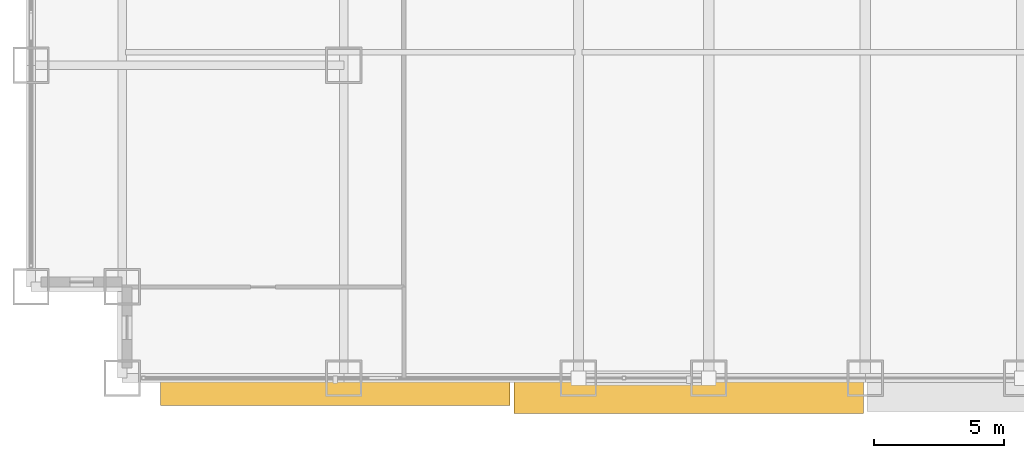
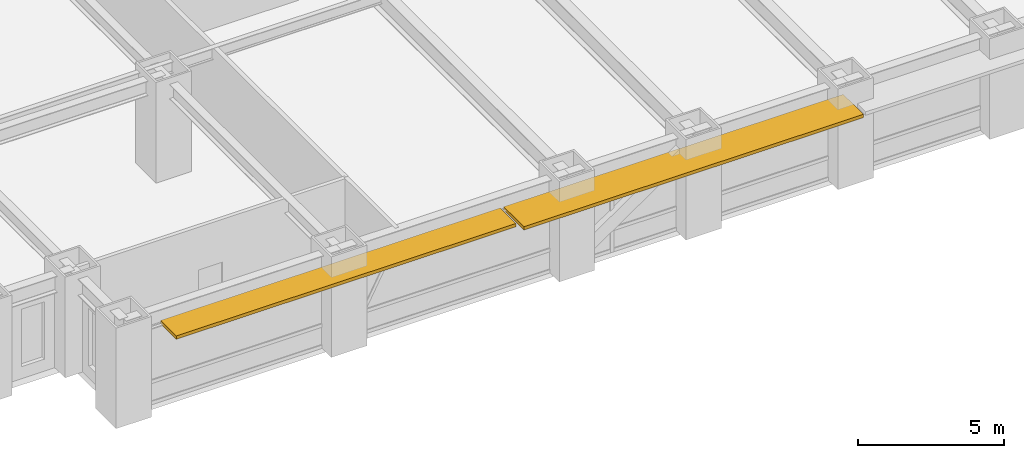
# One storey, part 27 of 31: 2 shading devices.
"""IFC4 building model written with IfcOpenShell, lengths in metres."""

import ifcopenshell
import ifcopenshell.guid

model = None  # the IFC model being written
_history = None  # IfcOwnerHistory: only IFC2X3 demands one
_inside = {}  # id of a spatial element -> (the spatial element, [elements in it])
_under = {}  # id of a project, library or spatial element -> (it, [spatial elements below it])
_declared = {}  # id of a project -> (the project, [libraries it declares])
_typed = {}  # id of a type object -> (the type object, [elements of that type])
_made_of = {}  # id of a material, layer set ... -> (it, [elements and type objects made of it])


def new_model(schema):
    """Start an empty IFC model of exactly this schema.

    Asked for "IFC4X3", IfcOpenShell would pick the latest addendum, in which some entities
    have other attributes; the version numbers below select the first issue.
    IFC2X3 requires an IfcOwnerHistory on every rooted entity: one is made here for all.
    """
    global model, _history
    if schema == "IFC4X3":
        model = ifcopenshell.file(schema_version=(4, 3, 0, 0))
    else:
        model = ifcopenshell.file(schema=schema)
    _inside.clear()
    _under.clear()
    _declared.clear()
    _typed.clear()
    _made_of.clear()
    _history = None
    if model.schema == "IFC2X3":
        org = make("IfcOrganization", Name="unknown")
        user = make(
            "IfcPersonAndOrganization",
            ThePerson=make("IfcPerson", FamilyName="unknown"),
            TheOrganization=org,
        )
        app = make(
            "IfcApplication",
            ApplicationDeveloper=org,
            Version="unknown",
            ApplicationFullName="unknown",
            ApplicationIdentifier="unknown",
        )
        _history = make(
            "IfcOwnerHistory",
            OwningUser=user,
            OwningApplication=app,
            ChangeAction="ADDED",
            CreationDate=0,
        )
    return model


def make(cls, **values):
    """One entity of the class cls with the attributes given. An attribute that is None is left unset."""
    return model.create_entity(
        cls, **{name: value for name, value in values.items() if value is not None}
    )


def rooted(cls, **values):
    """An entity with a GlobalId (a new one), such as an element, a storey or a relation."""
    return make(cls, GlobalId=ifcopenshell.guid.new(), OwnerHistory=_history, **values)


def si_unit(unit_type, name, prefix=None):
    """IfcSIUnit, for example si_unit("LENGTHUNIT", "METRE", prefix="MILLI")."""
    return make("IfcSIUnit", UnitType=unit_type, Prefix=prefix, Name=name)


def assignment(units):
    """IfcUnitAssignment: the units of a project."""
    return None if units is None else make("IfcUnitAssignment", Units=units)


def point(xyz):
    """IfcCartesianPoint."""
    return None if xyz is None else make("IfcCartesianPoint", Coordinates=xyz)


def direction(xyz):
    """IfcDirection."""
    return None if xyz is None else make("IfcDirection", DirectionRatios=xyz)


def frame(location, z_axis=None, x_axis=None):
    """IfcAxis2Placement3D, a coordinate frame: its origin and axes. An axis left out is left unset."""
    return make(
        "IfcAxis2Placement3D",
        Location=point(location),
        Axis=direction(z_axis),
        RefDirection=direction(x_axis),
    )


def frame_2d(location, x_axis=None):
    """IfcAxis2Placement2D, a coordinate frame in the plane: its origin and x axis."""
    return make(
        "IfcAxis2Placement2D", Location=point(location), RefDirection=direction(x_axis)
    )


def origin():
    """The frame at (0, 0, 0) with its axes left unset."""
    return frame((0.0, 0.0, 0.0))


def origin_2d():
    """The frame at (0, 0) in the plane with its x axis left unset."""
    return frame_2d((0.0, 0.0))


def place(relative_to, where):
    """IfcLocalPlacement: puts the frame where relative to a parent placement (None: the world)."""
    return make(
        "IfcLocalPlacement", PlacementRelTo=relative_to, RelativePlacement=where
    )


def context(
    kind, dimensions, precision=None, world=None, true_north=None, identifier=None
):
    """IfcGeometricRepresentationContext, for example the 3D "Model" context."""
    return make(
        "IfcGeometricRepresentationContext",
        ContextIdentifier=identifier,
        ContextType=kind,
        CoordinateSpaceDimension=dimensions,
        Precision=precision,
        WorldCoordinateSystem=world,
        TrueNorth=true_north,
    )


def subcontext(parent, identifier, kind, view, scale=None):
    """IfcGeometricRepresentationSubContext, for example "Body" below "Model"."""
    return make(
        "IfcGeometricRepresentationSubContext",
        ContextIdentifier=identifier,
        ContextType=kind,
        ParentContext=parent,
        TargetScale=scale,
        TargetView=view,
    )


def project(units=None, contexts=None):
    """IfcProject with its units and contexts."""
    return rooted(
        "IfcProject",
        Name="project",
        RepresentationContexts=contexts,
        UnitsInContext=assignment(units),
    )


def spatial(cls, under=None, at=None, **own):
    """A site, building, storey or space (cls), placed at a placement, below another one or the project."""
    s = rooted(cls, ObjectPlacement=at, **own)
    if under is not None:
        _under.setdefault(under.id(), (under, []))[1].append(s)
    return s


def profile(cls, at=None, kind="AREA", **sizes):
    """A parametric profile (cls). Its sizes go by their IFC names, for example OverallWidth=200.0."""
    return make(cls, ProfileType=kind, Position=at, **sizes)


def rectangle(**sizes):
    """IfcRectangleProfileDef."""
    return profile("IfcRectangleProfileDef", **sizes)


def extrude(swept, where, along, depth):
    """IfcExtrudedAreaSolid: the profile swept, set in the frame where, extruded along a direction by depth."""
    return make(
        "IfcExtrudedAreaSolid",
        SweptArea=swept,
        Position=where,
        ExtrudedDirection=direction(along),
        Depth=depth,
    )


def shape(context_of_items, identifier, shape_type, items):
    """IfcShapeRepresentation: the items that make up one representation, for example the "Body"."""
    return make(
        "IfcShapeRepresentation",
        ContextOfItems=context_of_items,
        RepresentationIdentifier=identifier,
        RepresentationType=shape_type,
        Items=items,
    )


def source(mapping_origin, context_of_items, identifier, shape_type, items):
    """IfcRepresentationMap: a shape defined once, which mapped items show again and again."""
    return make(
        "IfcRepresentationMap",
        MappingOrigin=mapping_origin,
        MappedRepresentation=shape(context_of_items, identifier, shape_type, items),
    )


def transform(
    local_origin,
    x_axis=None,
    y_axis=None,
    z_axis=None,
    scale=None,
    scale2=None,
    scale3=None,
    uniform=True,
):
    """IfcCartesianTransformationOperator3D, or its non-uniform kind. x_axis, y_axis, z_axis: its Axis1, 2, 3."""
    if uniform:
        return make(
            "IfcCartesianTransformationOperator3D",
            Axis1=direction(x_axis),
            Axis2=direction(y_axis),
            LocalOrigin=point(local_origin),
            Scale=scale,
            Axis3=direction(z_axis),
        )
    return make(
        "IfcCartesianTransformationOperator3DnonUniform",
        Axis1=direction(x_axis),
        Axis2=direction(y_axis),
        LocalOrigin=point(local_origin),
        Scale=scale,
        Axis3=direction(z_axis),
        Scale2=scale2,
        Scale3=scale3,
    )


def mapped(mapping_source, mapping_target):
    """IfcMappedItem: shows the shape of a source again, moved by a transform."""
    return make(
        "IfcMappedItem", MappingSource=mapping_source, MappingTarget=mapping_target
    )


def material(Name=None, Category=None):
    """IfcMaterial."""
    return make("IfcMaterial", Name=Name, Category=Category)


def layer(
    of_material, thickness, ventilated=None, Name=None, Category=None, Priority=None
):
    """IfcMaterialLayer: one layer of a wall or slab, of a material (None: an air gap)."""
    return make(
        "IfcMaterialLayer",
        Material=of_material,
        LayerThickness=thickness,
        IsVentilated=ventilated,
        Name=Name,
        Category=Category,
        Priority=Priority,
    )


def layer_set(layers, Name=None):
    """IfcMaterialLayerSet."""
    return make("IfcMaterialLayerSet", MaterialLayers=layers, LayerSetName=Name)


def made_of(thing, what):
    """Note that an element or type object is made of a material, layer set ...; save() writes the relation."""
    if what is not None:
        _made_of.setdefault(what.id(), (what, []))[1].append(thing)
    return thing


def type_object(cls, material=None, **own):
    """A type object (cls), such as IfcWallType, which elements share."""
    return made_of(rooted(cls, **own), material)


def element(
    cls,
    number,
    at=None,
    inside=None,
    cuts=None,
    type_object=None,
    material=None,
    context=None,
    identifier="Body",
    shape_type=None,
    held_by="IfcProductDefinitionShape",
    body=None,
    shapes=None,
    **own,
):
    """One element of the class cls, such as IfcWall. Its Tag is "e" and its number.

    at: its placement. inside: the storey or other place that contains it. cuts: it is an
    opening in that element (IfcRelVoidsElement). A single representation is given by context,
    identifier, shape_type and body (its items); several are given by shapes. held_by: the class
    of the entity that holds the representations. save() writes the other relations.
    """
    e = rooted(cls, Tag="e%d" % number, ObjectPlacement=at, **own)
    if body is not None:
        shapes = [shape(context, identifier, shape_type, body)]
    if shapes is not None:
        e.Representation = make(held_by, Representations=shapes)
    if inside is not None:
        _inside.setdefault(inside.id(), (inside, []))[1].append(e)
    if cuts is not None:
        rooted(
            "IfcRelVoidsElement", RelatingBuildingElement=cuts, RelatedOpeningElement=e
        )
    if type_object is not None:
        _typed.setdefault(type_object.id(), (type_object, []))[1].append(e)
    return made_of(e, material)


def aggregate(whole, parts):
    """IfcRelAggregates: a whole, such as a stair, and the parts it consists of."""
    return rooted("IfcRelAggregates", RelatingObject=whole, RelatedObjects=parts)


def save(model, path):
    """Write the relations noted so far, then the file.

    IfcRelAggregates (storeys below a building ...), IfcRelContainedInSpatialStructure (elements
    in a storey), IfcRelDefinesByType, IfcRelAssociatesMaterial and IfcRelDeclares: one each for
    every whole, place, type object, material and project.
    """
    for whole, parts in _under.values():
        aggregate(whole, parts)
    for where, things in _inside.values():
        rooted(
            "IfcRelContainedInSpatialStructure",
            RelatedElements=things,
            RelatingStructure=where,
        )
    for kind, things in _typed.values():
        rooted("IfcRelDefinesByType", RelatedObjects=things, RelatingType=kind)
    for what, things in _made_of.values():
        rooted("IfcRelAssociatesMaterial", RelatedObjects=things, RelatingMaterial=what)
    for by, libraries in _declared.values():
        rooted("IfcRelDeclares", RelatingContext=by, RelatedDefinitions=libraries)
    model.write(path)


model = new_model("IFC4")

# Units and contexts
model_context = context("Model", 3, precision=1e-05, world=origin(), true_north=direction((0.0, 1.0)))
body_context = subcontext(model_context, "Body", "Model", "MODEL_VIEW")
ifc_project = project(units=[si_unit("LENGTHUNIT", "METRE"), si_unit("AREAUNIT", "SQUARE_METRE"), si_unit("VOLUMEUNIT", "CUBIC_METRE"), si_unit("PLANEANGLEUNIT", "RADIAN"), si_unit("MASSUNIT", "GRAM", prefix="KILO")], contexts=[model_context])

# Site, building, storey
site_placement = place(None, origin())
site = spatial("IfcSite", under=ifc_project, at=site_placement, CompositionType="ELEMENT")
building_placement = place(site_placement, origin())
building = spatial("IfcBuilding", under=site, at=building_placement, Name="Khorayat Bourse Tower", CompositionType="ELEMENT")
storey_placement = place(building_placement, frame((0.0, 0.0, 41.0)))
storey = spatial("IfcBuildingStorey", under=building, at=storey_placement, Name="L08", CompositionType="ELEMENT", Elevation=41.0)

# Shading devices
ifc_material = material(Name="Precast concrete C45/55", Category="concrete")
ifc_layer = layer(ifc_material, 0.139892578125)
ifc_layer_set = layer_set([ifc_layer], Name="Precast concrete C45/55")
shading_device_type = type_object("IfcShadingDeviceType", Name="SHD-WAVE-TRAY-B", PredefinedType="USERDEFINED", material=ifc_layer_set)
shared_shape_1 = source(origin(), body_context, "Body", "SweptSolid", [
    extrude(rectangle(XDim=13.409912109375, YDim=1.076171875, at=origin_2d()), origin(), (0.0, 0.0, 1.0), 0.139892578125),
])
shading_device_1_placement = place(storey_placement, frame((-20.324951171875, -32.51806640625, 3.18994140625), z_axis=(0.0, 0.0, 1.0), x_axis=(1.0, 0.0, 0.0)))
element("IfcShadingDevice", 1, at=shading_device_1_placement, inside=storey, type_object=shading_device_type, Name="L08 Sinusoidal Wave Sunshade Tray S-1", ObjectType="SUNSHADE", PredefinedType="USERDEFINED", context=body_context, shape_type="MappedRepresentation", body=[
    mapped(shared_shape_1, transform((0.0, 0.0, 0.0), scale=1.0)),
])
shared_shape_2 = source(origin(), body_context, "Body", "SweptSolid", [
    extrude(rectangle(XDim=13.409912109375, YDim=1.380859375, at=origin_2d()), origin(), (0.0, 0.0, 1.0), 0.139892578125),
])
shading_device_2_placement = place(storey_placement, frame((-6.77490234375, -32.67041015625, 3.18994140625), z_axis=(0.0, 0.0, 1.0), x_axis=(1.0, 0.0, 0.0)))
element("IfcShadingDevice", 2, at=shading_device_2_placement, inside=storey, type_object=shading_device_type, Name="L08 Sinusoidal Wave Sunshade Tray S-2", ObjectType="SUNSHADE", PredefinedType="USERDEFINED", context=body_context, shape_type="MappedRepresentation", body=[
    mapped(shared_shape_2, transform((0.0, 0.0, 0.0), scale=1.0)),
])

save(model, "model.ifc")
